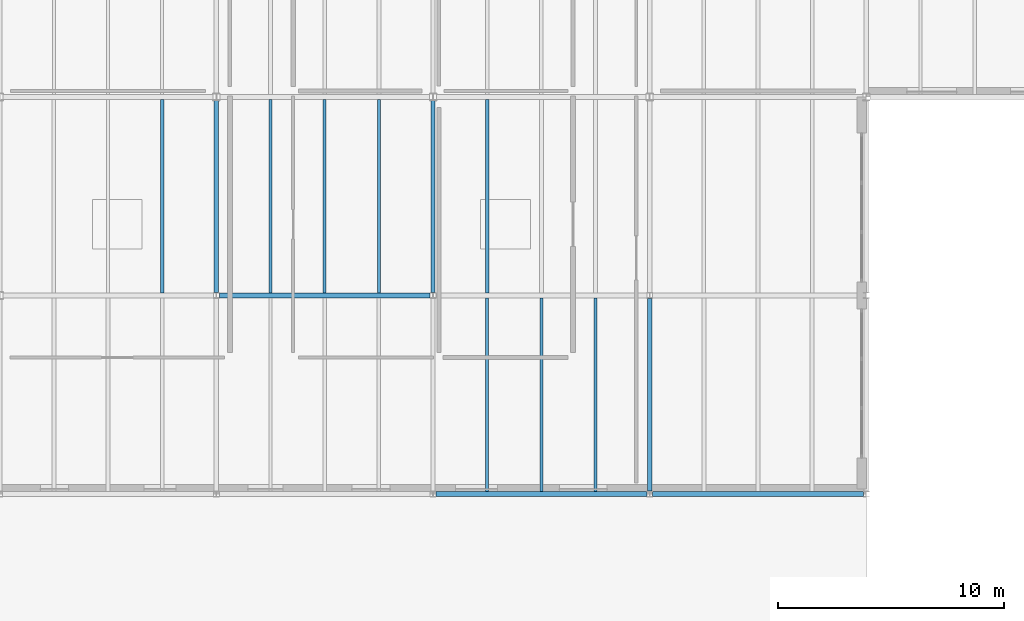
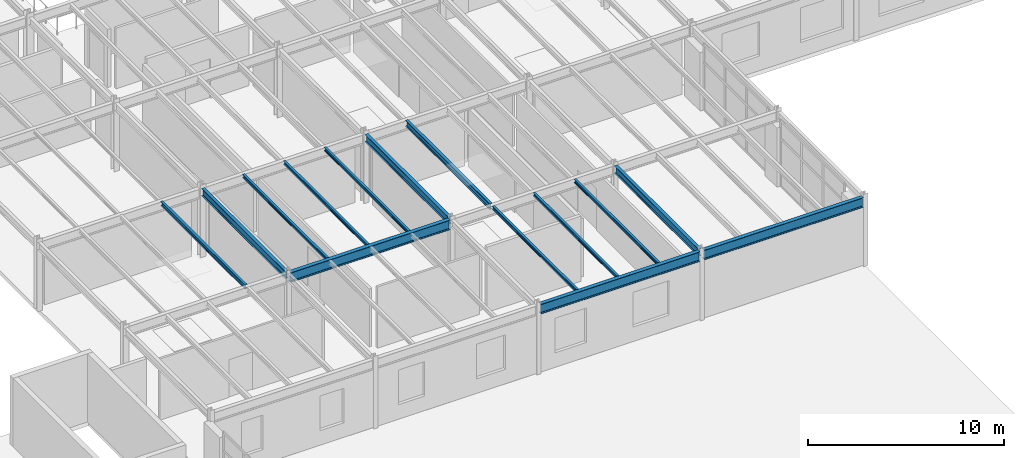
# One storey, part 24 of 77: 14 beams.
"""IFC4 building model written with IfcOpenShell, lengths in metres."""

from ifc_helpers import new_model, si_unit, direction, frame, origin, origin_2d, place, context, subcontext, project, spatial, i_section, extrude, material, material_profile, profile_set, type_object, element, save


model = new_model("IFC4")

# Units and contexts
model_context = context("Model", 3, precision=1e-05, world=origin(), true_north=direction((0.0, 1.0)))
body_context = subcontext(model_context, "Body", "Model", "MODEL_VIEW")
ifc_project = project(units=[si_unit("LENGTHUNIT", "METRE"), si_unit("AREAUNIT", "SQUARE_METRE"), si_unit("VOLUMEUNIT", "CUBIC_METRE"), si_unit("PLANEANGLEUNIT", "RADIAN"), si_unit("MASSUNIT", "GRAM", prefix="KILO")], contexts=[model_context])

# Site, building, storey
site_placement = place(None, origin())
site = spatial("IfcSite", under=ifc_project, at=site_placement, CompositionType="ELEMENT")
building_placement = place(site_placement, origin())
building = spatial("IfcBuilding", under=site, at=building_placement, Name="Sarnbrook Museum", CompositionType="ELEMENT")
storey_placement = place(building_placement, frame((0.0, 0.0, 5.60009765625)))
storey = spatial("IfcBuildingStorey", under=building, at=storey_placement, Name="L01", CompositionType="ELEMENT", Elevation=5.60009765625)

# Beams
ifc_material = material(Name="Structural Steel Grade 300PLUS (AS/NZS 3679.1, fy = 280 MPa for 17 < t <= 40 mm, 300 MPa for t <= 17 mm)", Category="steel")
ifc_material_profile_1 = material_profile(ifc_material, i_section(OverallWidth=0.18994140625, OverallDepth=0.45703125, WebThickness=0.009033203125, FlangeThickness=0.014404296875, FilletRadius=0.011474609375, at=origin_2d()), Name="460UB74.6")
ifc_profile_set_1 = profile_set([ifc_material_profile_1], Name="Structural Steel Grade 300PLUS (AS/NZS 3679.1, fy = 280 MPa for 17 < t <= 40 mm, 300 MPa for t <= 17 mm)")
beam_type_1 = type_object("IfcBeamType", Name="BM-UB460", PredefinedType="BEAM", material=ifc_profile_set_1)
for number, where, z_axis, x_axis, name in (
    (1, (90.39990234375, 30.530029296875, 4.0615234375), (0.0, 1.0, 0.0), (-1.0, 0.0, 0.0), "Girder 10:D-E L01"),
    (2, (100.0, 30.530029296875, 4.0615234375), (0.0, 1.0, 0.0), (-1.0, 0.0, 0.0), "Girder 11:D-E L01"),
):
    element("IfcBeam", number, at=place(storey_placement, frame(where, z_axis=z_axis, x_axis=x_axis)), inside=storey, type_object=beam_type_1, Name=name, PredefinedType="BEAM", context=body_context, shape_type="SweptSolid", body=[
        extrude(i_section(OverallWidth=0.18994140625, OverallDepth=0.45703125, WebThickness=0.009033203125, FlangeThickness=0.014404296875, FilletRadius=0.011474609375, at=origin_2d()), origin(), (0.0, 0.0, 1.0), 8.506591796875),
    ])
beam_1_placement = place(storey_placement, frame((109.60009765625, 21.72998046875, 4.0615234375), z_axis=(0.0, 1.0, 0.0), x_axis=(-1.0, 0.0, 0.0)))
element("IfcBeam", 3, at=beam_1_placement, inside=storey, type_object=beam_type_1, Name="Girder 12:C-D L01", PredefinedType="BEAM", context=body_context, shape_type="SweptSolid", body=[
    extrude(i_section(OverallWidth=0.18994140625, OverallDepth=0.45703125, WebThickness=0.009033203125, FlangeThickness=0.014404296875, FilletRadius=0.011474609375, at=origin_2d()), origin(), (0.0, 0.0, 1.0), 8.5400390625),
])
ifc_material_profile_2 = material_profile(ifc_material, i_section(OverallWidth=0.22802734375, OverallDepth=0.60693359375, WebThickness=0.01123046875, FlangeThickness=0.017333984375, FilletRadius=0.013916015625, at=origin_2d()), Name="610UB113")
ifc_profile_set_2 = profile_set([ifc_material_profile_2], Name="Structural Steel Grade 300PLUS (AS/NZS 3679.1, fy = 280 MPa for 17 < t <= 40 mm, 300 MPa for t <= 17 mm)")
beam_type_2 = type_object("IfcBeamType", Name="BM-UB610", PredefinedType="BEAM", material=ifc_profile_set_2)
for number, where, z_axis, x_axis, name in (
    (4, (100.1279296875, 21.60009765625, 3.986328125), (1.0, 0.0, 0.0), (0.0, 1.0, 0.0), "Girder C:11-12 L01"),
    (5, (109.72802734375, 21.60009765625, 3.986328125), (1.0, 0.0, 0.0), (0.0, 1.0, 0.0), "Girder C:12-13 L01"),
    (6, (90.528076171875, 30.39990234375, 3.986328125), (1.0, 0.0, 0.0), (0.0, 1.0, 0.0), "Girder D:10-11 L01"),
):
    element("IfcBeam", number, at=place(storey_placement, frame(where, z_axis=z_axis, x_axis=x_axis)), inside=storey, type_object=beam_type_2, Name=name, PredefinedType="BEAM", context=body_context, shape_type="SweptSolid", body=[
        extrude(i_section(OverallWidth=0.22802734375, OverallDepth=0.60693359375, WebThickness=0.01123046875, FlangeThickness=0.017333984375, FilletRadius=0.013916015625, at=origin_2d()), origin(), (0.0, 0.0, 1.0), 9.343994140625),
    ])
ifc_material_profile_3 = material_profile(ifc_material, i_section(OverallWidth=0.134033203125, OverallDepth=0.20703125, WebThickness=0.00634765625, FlangeThickness=0.009521484375, FilletRadius=0.0087890625, at=origin_2d()), Name="200UB29.8")
ifc_profile_set_3 = profile_set([ifc_material_profile_3], Name="Structural Steel Grade 300PLUS (AS/NZS 3679.1, fy = 280 MPa for 17 < t <= 40 mm, 300 MPa for t <= 17 mm)")
beam_type_3 = type_object("IfcBeamType", Name="JS-UB200", PredefinedType="JOIST", material=ifc_profile_set_3)
for number, where, z_axis, x_axis, name in (
    (7, (92.800048828125, 30.513916015625, 4.1865234375), (0.0, 1.0, 0.0), (-1.0, 0.0, 0.0), "Composite Floor Joist 10D-1 L01"),
    (8, (95.199951171875, 30.513916015625, 4.1865234375), (0.0, 1.0, 0.0), (-1.0, 0.0, 0.0), "Composite Floor Joist 10D-2 L01"),
    (9, (97.60009765625, 30.513916015625, 4.1865234375), (0.0, 1.0, 0.0), (-1.0, 0.0, 0.0), "Composite Floor Joist 10D-3 L01"),
):
    element("IfcBeam", number, at=place(storey_placement, frame(where, z_axis=z_axis, x_axis=x_axis)), inside=storey, type_object=beam_type_3, Name=name, PredefinedType="JOIST", context=body_context, shape_type="SweptSolid", body=[
        extrude(i_section(OverallWidth=0.134033203125, OverallDepth=0.20703125, WebThickness=0.00634765625, FlangeThickness=0.009521484375, FilletRadius=0.0087890625, at=origin_2d()), origin(), (0.0, 0.0, 1.0), 8.572021484375),
    ])
for number, where, z_axis, x_axis, name in (
    (10, (102.39990234375, 21.714111328125, 4.1865234375), (0.0, 1.0, 0.0), (-1.0, 0.0, 0.0), "Composite Floor Joist 11C-1 L01"),
    (11, (104.800048828125, 21.714111328125, 4.1865234375), (0.0, 1.0, 0.0), (-1.0, 0.0, 0.0), "Composite Floor Joist 11C-2 L01"),
    (12, (107.199951171875, 21.714111328125, 4.1865234375), (0.0, 1.0, 0.0), (-1.0, 0.0, 0.0), "Composite Floor Joist 11C-3 L01"),
):
    element("IfcBeam", number, at=place(storey_placement, frame(where, z_axis=z_axis, x_axis=x_axis)), inside=storey, type_object=beam_type_3, Name=name, PredefinedType="JOIST", context=body_context, shape_type="SweptSolid", body=[
        extrude(i_section(OverallWidth=0.134033203125, OverallDepth=0.20703125, WebThickness=0.00634765625, FlangeThickness=0.009521484375, FilletRadius=0.0087890625, at=origin_2d()), origin(), (0.0, 0.0, 1.0), 8.57177734375),
    ])
ifc_material_profile_4 = material_profile(ifc_material, i_section(OverallWidth=0.14599609375, OverallDepth=0.256103515625, WebThickness=0.00634765625, FlangeThickness=0.010986328125, FilletRadius=0.0087890625, at=origin_2d()), Name="250UB37.3")
ifc_profile_set_4 = profile_set([ifc_material_profile_4], Name="Structural Steel Grade 300PLUS (AS/NZS 3679.1, fy = 280 MPa for 17 < t <= 40 mm, 300 MPa for t <= 17 mm)")
beam_type_4 = type_object("IfcBeamType", Name="JS-UB250", PredefinedType="JOIST", material=ifc_profile_set_4)
beam_2_placement = place(storey_placement, frame((88.0, 30.513916015625, 4.161865234375), z_axis=(0.0, 1.0, 0.0), x_axis=(-1.0, 0.0, 0.0)))
element("IfcBeam", 13, at=beam_2_placement, inside=storey, type_object=beam_type_4, Name="Composite Floor Joist 9D-3 L01", PredefinedType="JOIST", context=body_context, shape_type="SweptSolid", body=[
    extrude(i_section(OverallWidth=0.14599609375, OverallDepth=0.256103515625, WebThickness=0.00634765625, FlangeThickness=0.010986328125, FilletRadius=0.0087890625, at=origin_2d()), origin(), (0.0, 0.0, 1.0), 8.572021484375),
])
ifc_material_profile_5 = material_profile(ifc_material, i_section(OverallWidth=0.1708984375, OverallDepth=0.35595703125, WebThickness=0.00732421875, FlangeThickness=0.011474609375, FilletRadius=0.011474609375, at=origin_2d()), Name="360UB50.7")
ifc_profile_set_5 = profile_set([ifc_material_profile_5], Name="Structural Steel Grade 300PLUS (AS/NZS 3679.1, fy = 280 MPa for 17 < t <= 40 mm, 300 MPa for t <= 17 mm)")
beam_type_5 = type_object("IfcBeamType", Name="JS-UB360", PredefinedType="JOIST", material=ifc_profile_set_5)
beam_3_placement = place(storey_placement, frame((102.39990234375, 30.513916015625, 4.11181640625), z_axis=(0.0, 1.0, 0.0), x_axis=(-1.0, 0.0, 0.0)))
element("IfcBeam", 14, at=beam_3_placement, inside=storey, type_object=beam_type_5, Name="Composite Floor Joist 11D-1 L01", PredefinedType="JOIST", context=body_context, shape_type="SweptSolid", body=[
    extrude(i_section(OverallWidth=0.1708984375, OverallDepth=0.35595703125, WebThickness=0.00732421875, FlangeThickness=0.011474609375, FilletRadius=0.011474609375, at=origin_2d()), origin(), (0.0, 0.0, 1.0), 8.572021484375),
])

save(model, "model.ifc")
